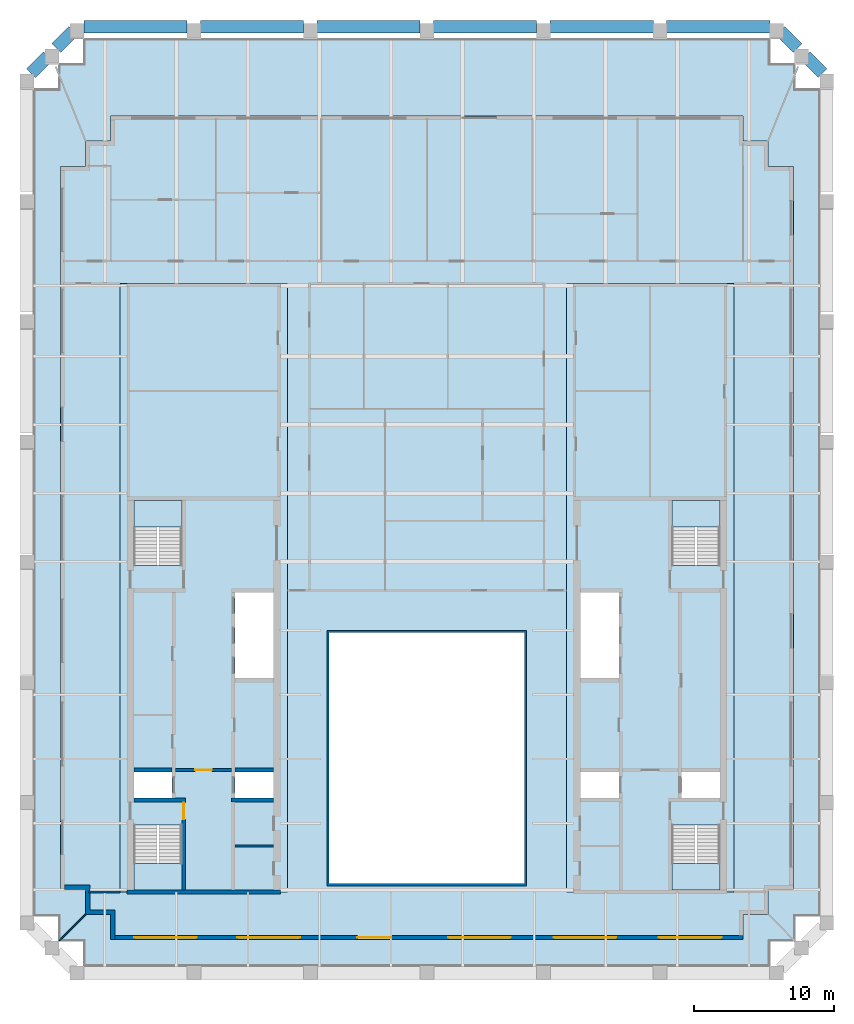
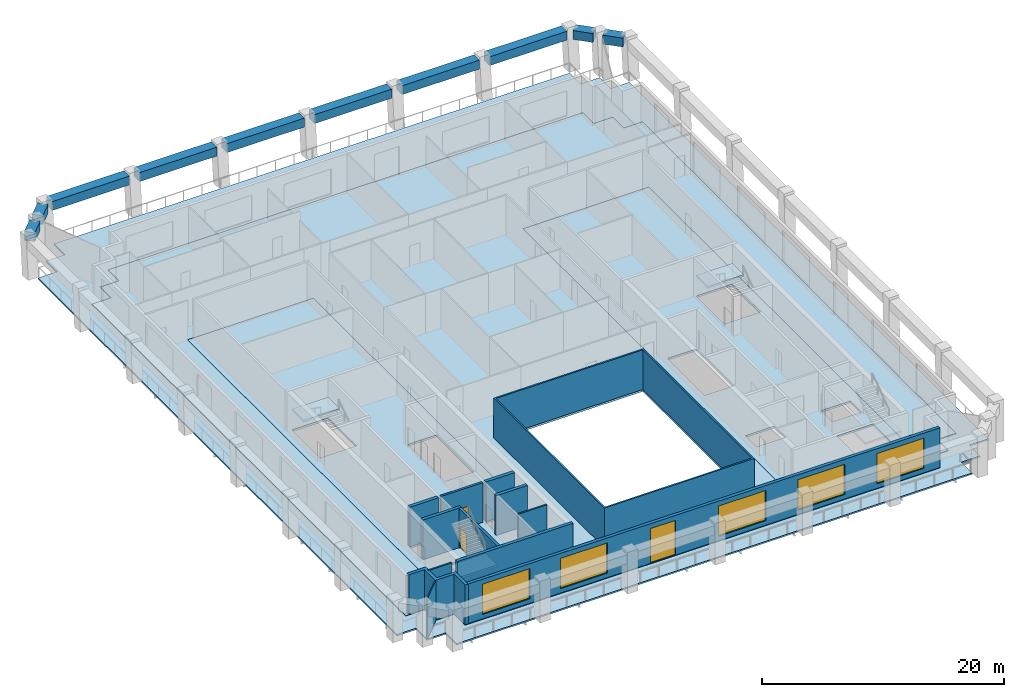
# One storey, part 2 of 8: 13 walls, 10 beams, 8 slabs, 5 windows, 3 doors, 8 openings, 4 elements without a shape of their own.
"""IFC4 building model written with IfcOpenShell, lengths in metres."""

from ifc_helpers import new_model, si_unit, direction, frame, frame_2d, origin, origin_2d, place, context, subcontext, project, spatial, polyline, rectangle, outline, extrude, material, layer, layer_set, material_profile, profile_set, type_object, element, fill, aggregate, save


model = new_model("IFC4")

# Units and contexts
model_context = context("Model", 3, precision=1e-05, world=origin(), true_north=direction((0.0, 1.0)))
body_context = subcontext(model_context, "Body", "Model", "MODEL_VIEW")
ifc_project = project(units=[si_unit("LENGTHUNIT", "METRE"), si_unit("AREAUNIT", "SQUARE_METRE"), si_unit("VOLUMEUNIT", "CUBIC_METRE"), si_unit("PLANEANGLEUNIT", "RADIAN"), si_unit("MASSUNIT", "GRAM", prefix="KILO")], contexts=[model_context])

# Site, building, storey
site_placement = place(None, origin())
site = spatial("IfcSite", under=ifc_project, at=site_placement, CompositionType="ELEMENT")
building_placement = place(site_placement, origin())
building = spatial("IfcBuilding", under=site, at=building_placement, Name="Ogive Exchange Tower", CompositionType="ELEMENT")
storey_placement = place(building_placement, frame((0.0, 0.0, 342.60009765625)))
storey = spatial("IfcBuildingStorey", under=building, at=storey_placement, Name="L75", CompositionType="ELEMENT", Elevation=342.60009765625)

# Beams
ifc_material_1 = material(Name="Precast concrete C70/85 (limestone faced)", Category="masonry")
ifc_material_profile = material_profile(ifc_material_1, rectangle(XDim=0.89990234375, YDim=0.89990234375, at=origin_2d()), Name="900 x 900")
ifc_profile_set = profile_set([ifc_material_profile], Name="Precast concrete C70/85 (limestone faced)")
beam_type = type_object("IfcBeamType", Name="Precast spandrel 900 x 900 C70/85", PredefinedType="SPANDREL", material=ifc_profile_set)
for number, where, z_axis, x_axis, name in (
    (1, (28.362060546875, 56.069580078125, 3.5), (-0.707036271462, 0.707177283881, 0.0), (-0.707177283881, -0.707036271462, 0.0), "Spandrel 16"),
    (2, (26.56201171875, 57.86962890625, 3.5), (-0.707036271462, 0.707177283881, 0.0), (-0.707177283881, -0.707036271462, 0.0), "Spandrel 17"),
):
    element("IfcBeam", number, at=place(storey_placement, frame(where, z_axis=z_axis, x_axis=x_axis)), inside=storey, type_object=beam_type, Name=name, PredefinedType="SPANDREL", context=body_context, shape_type="SweptSolid", body=[
        extrude(rectangle(XDim=0.89990234375, YDim=0.89990234375, at=origin_2d()), origin(), (0.0, 0.0, 1.0), 1.7314453125),
    ])
beam_1_placement = place(storey_placement, frame((24.570068359375, 59.3818359375, 3.5), z_axis=(-1.0, 0.0, 0.0), x_axis=(0.0, -1.0, 0.0)))
element("IfcBeam", 3, at=beam_1_placement, inside=storey, type_object=beam_type, Name="Spandrel 18", PredefinedType="SPANDREL", context=body_context, shape_type="SweptSolid", body=[
    extrude(rectangle(XDim=0.89990234375, YDim=0.89990234375, at=origin_2d()), origin(), (0.0, 0.0, 1.0), 7.39013671875),
])
beam_2_placement = place(storey_placement, frame((16.219970703125, 59.3818359375, 3.5), z_axis=(-1.0, 0.0, 0.0), x_axis=(0.0, -1.0, 0.0)))
element("IfcBeam", 4, at=beam_2_placement, inside=storey, type_object=beam_type, Name="Spandrel 19", PredefinedType="SPANDREL", context=body_context, shape_type="SweptSolid", body=[
    extrude(rectangle(XDim=0.89990234375, YDim=0.89990234375, at=origin_2d()), origin(), (0.0, 0.0, 1.0), 7.389892578125),
])
for number, where, z_axis, x_axis, name in (
    (5, (7.8701171875, 59.3818359375, 3.5), (-1.0, 0.0, 0.0), (0.0, -1.0, 0.0), "Spandrel 20"),
    (6, (-0.47998046875, 59.3818359375, 3.5), (-1.0, 0.0, 0.0), (0.0, -1.0, 0.0), "Spandrel 21"),
):
    element("IfcBeam", number, at=place(storey_placement, frame(where, z_axis=z_axis, x_axis=x_axis)), inside=storey, type_object=beam_type, Name=name, PredefinedType="SPANDREL", context=body_context, shape_type="SweptSolid", body=[
        extrude(rectangle(XDim=0.89990234375, YDim=0.89990234375, at=origin_2d()), origin(), (0.0, 0.0, 1.0), 7.39013671875),
    ])
beam_3_placement = place(storey_placement, frame((-8.830078125, 59.3818359375, 3.5), z_axis=(-1.0, 0.0, 0.0), x_axis=(0.0, -1.0, 0.0)))
element("IfcBeam", 7, at=beam_3_placement, inside=storey, type_object=beam_type, Name="Spandrel 22", PredefinedType="SPANDREL", context=body_context, shape_type="SweptSolid", body=[
    extrude(rectangle(XDim=0.89990234375, YDim=0.89990234375, at=origin_2d()), origin(), (0.0, 0.0, 1.0), 7.389892578125),
])
beam_4_placement = place(storey_placement, frame((-17.179931640625, 59.3818359375, 3.5), z_axis=(-1.0, 0.0, 0.0), x_axis=(0.0, -1.0, 0.0)))
element("IfcBeam", 8, at=beam_4_placement, inside=storey, type_object=beam_type, Name="Spandrel 23", PredefinedType="SPANDREL", context=body_context, shape_type="SweptSolid", body=[
    extrude(rectangle(XDim=0.89990234375, YDim=0.89990234375, at=origin_2d()), origin(), (0.0, 0.0, 1.0), 7.39013671875),
])
for number, where, z_axis, x_axis, name in (
    (9, (-25.337890625, 59.093994140625, 3.5), (-0.707036271462, -0.707177283881, 0.0), (0.707177283881, -0.707036271462, 0.0), "Spandrel 24"),
    (10, (-27.137939453125, 57.2939453125, 3.5), (-0.707036271462, -0.707177283881, 0.0), (0.707177283881, -0.707036271462, 0.0), "Spandrel 25"),
):
    element("IfcBeam", number, at=place(storey_placement, frame(where, z_axis=z_axis, x_axis=x_axis)), inside=storey, type_object=beam_type, Name=name, PredefinedType="SPANDREL", context=body_context, shape_type="SweptSolid", body=[
        extrude(rectangle(XDim=0.89990234375, YDim=0.89990234375, at=origin_2d()), origin(), (0.0, 0.0, 1.0), 1.7314453125),
    ])

# Slabs
ifc_material_2 = material(Name="Concrete C50/60", Category="concrete")
ifc_layer_1 = layer(ifc_material_2, 0.199951171875)
ifc_layer_set_1 = layer_set([ifc_layer_1], Name="Composite floor slab 200")
slab_type_1 = type_object("IfcSlabType", Name="Composite floor slab 200", PredefinedType="FLOOR", material=ifc_layer_set_1)
slab_1_placement = place(storey_placement, frame((0.0, 0.0, -0.2001953125)))
element("IfcSlab", 11, at=slab_1_placement, inside=storey, type_object=slab_type_1, Name="Composite floor slab", PredefinedType="FLOOR", context=body_context, shape_type="SweptSolid", body=[
    extrude(outline(polyline([(-22.64990234375, -4.199951171875), (-24.449951171875, -4.199951171875), (-24.449951171875, -2.39990234375), (-26.25, -2.39990234375), (-26.25, 49.39990234375), (-24.449951171875, 49.39990234375), (-24.449951171875, 51.199951171875), (-22.64990234375, 51.199951171875), (-22.64990234375, 53.0), (22.64990234375, 53.0), (22.64990234375, 51.199951171875), (24.449951171875, 51.199951171875), (24.449951171875, 49.39990234375), (26.25, 49.39990234375), (26.25, -2.39990234375), (24.449951171875, -2.39990234375), (24.449951171875, -4.199951171875), (22.64990234375, -4.199951171875), (22.64990234375, -6.0), (-22.64990234375, -6.0), (-22.64990234375, -4.199951171875)]), holes=[polyline([(7.0, -2.0), (7.0, 16.0), (-7.0, 16.0), (-7.0, -2.0), (7.0, -2.0)]), polyline([(-22.0, -2.60009765625), (-10.0, -2.60009765625), (-10.0, 41.0), (-22.0, 41.0), (-22.0, -2.60009765625)]), polyline([(10.0, -2.60009765625), (22.0, -2.60009765625), (22.0, 41.0), (10.0, 41.0), (10.0, -2.60009765625)])]), origin(), (0.0, 0.0, 1.0), 0.2001953125),
])
ifc_material_3 = material(Name="Concrete C70/85", Category="concrete")
ifc_layer_2 = layer(ifc_material_3, 0.199951171875)
ifc_layer_set_2 = layer_set([ifc_layer_2], Name="Core floor slab 200")
slab_type_2 = type_object("IfcSlabType", Name="Core floor slab 200", PredefinedType="FLOOR", material=ifc_layer_set_2)
slab_2_placement = place(storey_placement, frame((0.0, 0.0, -0.2001953125)))
element("IfcSlab", 12, at=slab_2_placement, inside=storey, type_object=slab_type_2, Name="Core floor slab", PredefinedType="FLOOR", context=body_context, shape_type="SweptSolid", body=[
    extrude(outline(polyline([(-22.0, -2.60009765625), (-22.0, 41.0), (-10.0, 41.0), (-10.0, -2.60009765625), (-22.0, -2.60009765625)]), holes=[polyline([(-17.550048828125, 2.196044921875), (-21.0, 2.196044921875), (-21.0, -2.449951171875), (-17.550048828125, -2.449951171875), (-17.550048828125, 2.196044921875)]), polyline([(-21.0, 5.992919921875), (-21.0, 4.14990234375), (-18.25, 4.14990234375), (-18.25, 5.992919921875), (-21.0, 5.992919921875)]), polyline([(-13.75, 5.992919921875), (-13.75, 4.14990234375), (-11.0, 4.14990234375), (-11.0, 5.992919921875), (-13.75, 5.992919921875)]), polyline([(-11.0, 18.85009765625), (-13.75, 18.85009765625), (-13.75, 12.721435546875), (-11.0, 12.721435546875), (-11.0, 18.85009765625)]), polyline([(-21.0, 25.449951171875), (-21.0, 20.803955078125), (-17.550048828125, 20.803955078125), (-17.550048828125, 25.449951171875), (-21.0, 25.449951171875)])]), origin(), (0.0, 0.0, 1.0), 0.2001953125),
])
slab_3_placement = place(storey_placement, frame((0.0, 0.0, -0.2001953125)))
element("IfcSlab", 13, at=slab_3_placement, inside=storey, type_object=slab_type_2, Name="Core floor slab", PredefinedType="FLOOR", context=body_context, shape_type="SweptSolid", body=[
    extrude(outline(polyline([(10.0, -2.60009765625), (10.0, 41.0), (22.0, 41.0), (22.0, -2.60009765625), (10.0, -2.60009765625)]), holes=[polyline([(21.0, 2.196044921875), (17.550048828125, 2.196044921875), (17.550048828125, -2.449951171875), (21.0, -2.449951171875), (21.0, 2.196044921875)]), polyline([(11.0, 5.992919921875), (11.0, 4.14990234375), (13.75, 4.14990234375), (13.75, 5.992919921875), (11.0, 5.992919921875)]), polyline([(18.25, 5.992919921875), (18.25, 4.14990234375), (21.0, 4.14990234375), (21.0, 5.992919921875), (18.25, 5.992919921875)]), polyline([(13.75, 18.85009765625), (11.0, 18.85009765625), (11.0, 12.721435546875), (13.75, 12.721435546875), (13.75, 18.85009765625)]), polyline([(17.550048828125, 25.449951171875), (17.550048828125, 20.803955078125), (21.0, 20.803955078125), (21.0, 25.449951171875), (17.550048828125, 25.449951171875)])]), origin(), (0.0, 0.0, 1.0), 0.2001953125),
])
ifc_layer_3 = layer(ifc_material_2, 0.14990234375)
ifc_layer_set_3 = layer_set([ifc_layer_3], Name="Loggia deck 150")
slab_type_3 = type_object("IfcSlabType", Name="Loggia deck 150", PredefinedType="FLOOR", material=ifc_layer_set_3)
slab_4_placement = place(storey_placement, frame((0.0, 0.0, -0.2001953125)))
element("IfcSlab", 14, at=slab_4_placement, inside=storey, type_object=slab_type_3, Name="Loggia deck", PredefinedType="FLOOR", context=body_context, shape_type="SweptSolid", body=[
    extrude(outline(polyline([(-24.60009765625, -6.14990234375), (-26.39990234375, -6.14990234375), (-26.39990234375, -4.35009765625), (-28.199951171875, -4.35009765625), (-28.199951171875, 54.949951171875), (-26.39990234375, 54.949951171875), (-26.39990234375, 56.75), (-24.60009765625, 56.75), (-24.60009765625, 58.550048828125), (24.60009765625, 58.550048828125), (24.60009765625, 56.75), (26.39990234375, 56.75), (26.39990234375, 54.949951171875), (28.199951171875, 54.949951171875), (28.199951171875, -4.35009765625), (26.39990234375, -4.35009765625), (26.39990234375, -6.14990234375), (24.60009765625, -6.14990234375), (24.60009765625, -7.949951171875), (-24.60009765625, -7.949951171875), (-24.60009765625, -6.14990234375)]), holes=[polyline([(22.64990234375, -4.199951171875), (24.449951171875, -4.199951171875), (24.449951171875, -2.39990234375), (26.25, -2.39990234375), (26.25, 49.39990234375), (24.449951171875, 49.39990234375), (24.449951171875, 51.199951171875), (22.64990234375, 51.199951171875), (22.64990234375, 53.0), (-22.64990234375, 53.0), (-22.64990234375, 51.199951171875), (-24.449951171875, 51.199951171875), (-24.449951171875, 49.39990234375), (-26.25, 49.39990234375), (-26.25, -2.39990234375), (-24.449951171875, -2.39990234375), (-24.449951171875, -4.199951171875), (-22.64990234375, -4.199951171875), (-22.64990234375, -6.0), (22.64990234375, -6.0), (22.64990234375, -4.199951171875)])]), origin(), (0.0, 0.0, 1.0), 0.150146484375),
])

# Stair, slab
ifc_material_4 = material(Name="Concrete C40/50", Category="concrete")
stair_type = type_object("IfcStairType", Name="Exit stair 1650 wide", PredefinedType="HALF_TURN_STAIR", material=ifc_material_4)
stair_1_placement = place(storey_placement, origin())
stair_1 = element("IfcStair", 15, at=stair_1_placement, inside=storey, type_object=stair_type, Name="L75 exit stair ST1", PredefinedType="HALF_TURN_STAIR")
ifc_layer_4 = layer(ifc_material_4, 0.199951171875)
ifc_layer_set_4 = layer_set([ifc_layer_4], Name="Stair landing 200 slab")
slab_type_4 = type_object("IfcSlabType", Name="Stair landing 200 slab", PredefinedType="LANDING", material=ifc_layer_set_4)
slab_5_placement = place(storey_placement, frame((0.0, 0.0, 1.89990234375)))
slab_5 = element("IfcSlab", 16, at=slab_5_placement, type_object=slab_type_4, Name="ST1 landing 1", PredefinedType="LANDING", context=body_context, shape_type="SweptSolid", body=[
    extrude(outline(polyline([(-21.0, -0.550048828125), (-21.0, -2.449951171875), (-17.550048828125, -2.449951171875), (-17.550048828125, -0.550048828125), (-21.0, -0.550048828125)])), origin(), (0.0, 0.0, 1.0), 0.199951171875),
])
aggregate(stair_1, [slab_5])

stair_2_placement = place(storey_placement, origin())
stair_2 = element("IfcStair", 17, at=stair_2_placement, inside=storey, type_object=stair_type, Name="L75 exit stair ST2", PredefinedType="HALF_TURN_STAIR")
slab_6_placement = place(storey_placement, frame((0.0, 0.0, 1.89990234375)))
slab_6 = element("IfcSlab", 18, at=slab_6_placement, type_object=slab_type_4, Name="ST2 landing 1", PredefinedType="LANDING", context=body_context, shape_type="SweptSolid", body=[
    extrude(outline(polyline([(-17.550048828125, 23.550048828125), (-17.550048828125, 25.449951171875), (-21.0, 25.449951171875), (-21.0, 23.550048828125), (-17.550048828125, 23.550048828125)])), origin(), (0.0, 0.0, 1.0), 0.199951171875),
])
aggregate(stair_2, [slab_6])

stair_3_placement = place(storey_placement, origin())
stair_3 = element("IfcStair", 19, at=stair_3_placement, inside=storey, type_object=stair_type, Name="L75 exit stair ST3", PredefinedType="HALF_TURN_STAIR")
slab_7_placement = place(storey_placement, frame((0.0, 0.0, 1.89990234375)))
slab_7 = element("IfcSlab", 20, at=slab_7_placement, type_object=slab_type_4, Name="ST3 landing 1", PredefinedType="LANDING", context=body_context, shape_type="SweptSolid", body=[
    extrude(outline(polyline([(17.550048828125, -0.550048828125), (17.550048828125, -2.449951171875), (21.0, -2.449951171875), (21.0, -0.550048828125), (17.550048828125, -0.550048828125)])), origin(), (0.0, 0.0, 1.0), 0.199951171875),
])
aggregate(stair_3, [slab_7])

stair_4_placement = place(storey_placement, origin())
stair_4 = element("IfcStair", 21, at=stair_4_placement, inside=storey, type_object=stair_type, Name="L75 exit stair ST4", PredefinedType="HALF_TURN_STAIR")
slab_8_placement = place(storey_placement, frame((0.0, 0.0, 1.89990234375)))
slab_8 = element("IfcSlab", 22, at=slab_8_placement, type_object=slab_type_4, Name="ST4 landing 1", PredefinedType="LANDING", context=body_context, shape_type="SweptSolid", body=[
    extrude(outline(polyline([(21.0, 23.550048828125), (21.0, 25.449951171875), (17.550048828125, 25.449951171875), (17.550048828125, 23.550048828125), (21.0, 23.550048828125)])), origin(), (0.0, 0.0, 1.0), 0.199951171875),
])
aggregate(stair_4, [slab_8])

# Walls
ifc_material_5 = material(Name="Gypsum board partition")
ifc_layer_5 = layer(ifc_material_5, 0.14990234375)
ifc_layer_set_5 = layer_set([ifc_layer_5], Name="Core room partition 150 gypsum")
wall_type_1 = type_object("IfcWallType", Name="Core room partition 150 gypsum", PredefinedType="PARTITIONING", material=ifc_layer_set_5)
wall_1_placement = place(storey_placement, frame((-13.75, 0.699951171875, 0.0), z_axis=(0.0, 0.0, 1.0), x_axis=(1.0, 0.0, 0.0)))
element("IfcWall", 23, at=wall_1_placement, inside=storey, type_object=wall_type_1, Name="W south room partition", PredefinedType="PARTITIONING", context=body_context, shape_type="SweptSolid", body=[
    extrude(rectangle(XDim=2.75, YDim=0.14990234375, at=frame_2d((1.375, 0.0))), origin(), (0.0, 0.0, 1.0), 4.0),
])
ifc_material_6 = material(Name="Fire partition EI 60 150")
ifc_layer_6 = layer(ifc_material_6, 0.14990234375)
ifc_layer_set_6 = layer_set([ifc_layer_6], Name="Fire partition EI 60 150")
wall_type_2 = type_object("IfcWallType", Name="Fire partition EI 60 150", PredefinedType="PARTITIONING", material=ifc_layer_set_6)
wall_2_placement = place(storey_placement, frame((-24.25, -2.60009765625, 0.0), z_axis=(0.0, 0.0, 1.0), x_axis=(1.0, 0.0, 0.0)))
element("IfcWall", 24, at=wall_2_placement, inside=storey, type_object=wall_type_2, Name="L75-PWL-002", PredefinedType="PARTITIONING", context=body_context, shape_type="SweptSolid", body=[
    extrude(rectangle(XDim=2.25, YDim=0.14990234375, at=frame_2d((1.125, 0.0))), origin(), (0.0, 0.0, 1.0), 4.0),
])
ifc_material_7 = material(Name="Fire-resisting glass in steel frame", Category="steel")
ifc_layer_7 = layer(ifc_material_7, 0.14990234375)
ifc_layer_set_7 = layer_set([ifc_layer_7], Name="Fire-rated glazed wall 150")
wall_type_3 = type_object("IfcWallType", Name="Fire-rated glazed wall 150", PredefinedType="STANDARD", material=ifc_layer_set_7)
wall_3_placement = place(storey_placement, origin())
element("IfcWall", 25, at=wall_3_placement, inside=storey, type_object=wall_type_3, Name="Nave enclosure wall", PredefinedType="STANDARD", context=body_context, shape_type="SweptSolid", body=[
    extrude(outline(polyline([(-7.14990234375, -2.14990234375), (7.14990234375, -2.14990234375), (7.14990234375, 16.14990234375), (-7.14990234375, 16.14990234375), (-7.14990234375, -2.14990234375)]), holes=[polyline([(-7.0, -2.0), (-7.0, 16.0), (7.0, 16.0), (7.0, -2.0), (-7.0, -2.0)])]), origin(), (0.0, 0.0, 1.0), 4.0),
])

# Wall, openings, door, windows
ifc_material_8 = material(Name="Precast concrete C40/50", Category="concrete")
ifc_layer_8 = layer(ifc_material_8, 0.300048828125)
ifc_layer_set_8 = layer_set([ifc_layer_8], Name="Limestone-faced wall 300")
wall_type_4 = type_object("IfcWallType", Name="Limestone-faced wall 300", PredefinedType="STANDARD", material=ifc_layer_set_8)
wall_4_placement = place(storey_placement, frame((-22.35009765625, -5.85009765625, 0.0), z_axis=(0.0, 0.0, 1.0), x_axis=(1.0, 0.0, 0.0)))
wall_4 = element("IfcWall", 26, at=wall_4_placement, inside=storey, type_object=wall_type_4, Name="External wall S1", PredefinedType="STANDARD", context=body_context, shape_type="SweptSolid", body=[
    extrude(rectangle(XDim=45.0, YDim=0.300048828125, at=frame_2d((22.5, 0.0))), origin(), (0.0, 0.0, 1.0), 4.0),
])
opening_1_placement = place(wall_4_placement, frame((1.375, 0.0, 0.449951171875)))
opening_1 = element("IfcOpeningElement", 27, at=opening_1_placement, cuts=wall_4, Name="Opening W1", PredefinedType="OPENING", context=body_context, shape_type="SweptSolid", body=[
    extrude(rectangle(XDim=4.5, YDim=3.050048828125, at=frame_2d((2.25, 1.52490234375))), frame((0.0, 0.159912109375, 0.0), z_axis=(0.0, -1.0, 0.0), x_axis=(1.0, 0.0, 0.0)), (0.0, 0.0, 1.0), 0.320068359375),
])
opening_2_placement = place(wall_4_placement, frame((8.77490234375, 0.0, 0.449951171875)))
opening_2 = element("IfcOpeningElement", 28, at=opening_2_placement, cuts=wall_4, Name="Opening W1", PredefinedType="OPENING", context=body_context, shape_type="SweptSolid", body=[
    extrude(rectangle(XDim=4.5, YDim=3.050048828125, at=frame_2d((2.25, 1.52490234375))), frame((0.0, 0.159912109375, 0.0), z_axis=(0.0, -1.0, 0.0), x_axis=(1.0, 0.0, 0.0)), (0.0, 0.0, 1.0), 0.320068359375),
])
opening_3_placement = place(wall_4_placement, frame((17.375, 0.0, 0.0)))
opening_3 = element("IfcOpeningElement", 29, at=opening_3_placement, cuts=wall_4, Name="Opening D1", PredefinedType="OPENING", context=body_context, shape_type="SweptSolid", body=[
    extrude(rectangle(XDim=2.39990234375, YDim=3.5, at=frame_2d((1.199951171875, 1.75))), frame((0.0, 0.159912109375, 0.0), z_axis=(0.0, -1.0, 0.0), x_axis=(1.0, 0.0, 0.0)), (0.0, 0.0, 1.0), 0.320068359375),
])
opening_4_placement = place(wall_4_placement, frame((23.875, 0.0, 0.449951171875)))
opening_4 = element("IfcOpeningElement", 30, at=opening_4_placement, cuts=wall_4, Name="Opening W1", PredefinedType="OPENING", context=body_context, shape_type="SweptSolid", body=[
    extrude(rectangle(XDim=4.5, YDim=3.050048828125, at=frame_2d((2.25, 1.52490234375))), frame((0.0, 0.159912109375, 0.0), z_axis=(0.0, -1.0, 0.0), x_axis=(1.0, 0.0, 0.0)), (0.0, 0.0, 1.0), 0.320068359375),
])
opening_5_placement = place(wall_4_placement, frame((31.425048828125, 0.0, 0.449951171875)))
opening_5 = element("IfcOpeningElement", 31, at=opening_5_placement, cuts=wall_4, Name="Opening W1", PredefinedType="OPENING", context=body_context, shape_type="SweptSolid", body=[
    extrude(rectangle(XDim=4.5, YDim=3.050048828125, at=frame_2d((2.25, 1.52490234375))), frame((0.0, 0.159912109375, 0.0), z_axis=(0.0, -1.0, 0.0), x_axis=(1.0, 0.0, 0.0)), (0.0, 0.0, 1.0), 0.320068359375),
])
opening_6_placement = place(wall_4_placement, frame((38.97509765625, 0.0, 0.449951171875)))
opening_6 = element("IfcOpeningElement", 32, at=opening_6_placement, cuts=wall_4, Name="Opening W1", PredefinedType="OPENING", context=body_context, shape_type="SweptSolid", body=[
    extrude(rectangle(XDim=4.5, YDim=3.050048828125, at=frame_2d((2.25, 1.52490234375))), frame((0.0, 0.159912109375, 0.0), z_axis=(0.0, -1.0, 0.0), x_axis=(1.0, 0.0, 0.0)), (0.0, 0.0, 1.0), 0.320068359375),
])
ifc_material_9 = material(Name="Clear glass in bronze frame", Category="glass")
door_type_1 = type_object("IfcDoorType", Name="Sliding loggia door 2400 x 3500", OperationType="DOUBLE_DOOR_SLIDING", PredefinedType="DOOR", material=ifc_material_9)
door_1_placement = place(opening_3_placement, origin())
door_1 = element("IfcDoor", 33, at=door_1_placement, inside=storey, type_object=door_type_1, Name="Loggia door S02", OperationType="DOUBLE_DOOR_SLIDING", OverallHeight=3.5, OverallWidth=2.39990234375, PredefinedType="DOOR", context=body_context, shape_type="SweptSolid", body=[
    extrude(rectangle(XDim=2.39990234375, YDim=3.5, at=frame_2d((1.199951171875, 1.75))), frame((0.0, 0.02490234375, 0.0), z_axis=(0.0, -1.0, 0.0), x_axis=(1.0, 0.0, 0.0)), (0.0, 0.0, 1.0), 0.050048828125),
])
fill(opening_3, door_1)
window_type = type_object("IfcWindowType", Name="Twin lancet window 4500 x 3050", PartitioningType="DOUBLE_PANEL_VERTICAL", PredefinedType="WINDOW", material=ifc_material_9)
window_1_placement = place(opening_1_placement, origin())
window_1 = element("IfcWindow", 34, at=window_1_placement, inside=storey, type_object=window_type, Name="Window S00", OverallHeight=3.050048828125, OverallWidth=4.5, PartitioningType="DOUBLE_PANEL_VERTICAL", PredefinedType="WINDOW", context=body_context, shape_type="SweptSolid", body=[
    extrude(rectangle(XDim=4.5, YDim=3.050048828125, at=frame_2d((2.25, 1.52490234375))), frame((0.0, 0.030029296875, 0.0), z_axis=(0.0, -1.0, 0.0), x_axis=(1.0, 0.0, 0.0)), (0.0, 0.0, 1.0), 0.06005859375),
])
fill(opening_1, window_1)
window_2_placement = place(opening_2_placement, origin())
window_2 = element("IfcWindow", 35, at=window_2_placement, inside=storey, type_object=window_type, Name="Window S01", OverallHeight=3.050048828125, OverallWidth=4.5, PartitioningType="DOUBLE_PANEL_VERTICAL", PredefinedType="WINDOW", context=body_context, shape_type="SweptSolid", body=[
    extrude(rectangle(XDim=4.5, YDim=3.050048828125, at=frame_2d((2.25, 1.52490234375))), frame((0.0, 0.030029296875, 0.0), z_axis=(0.0, -1.0, 0.0), x_axis=(1.0, 0.0, 0.0)), (0.0, 0.0, 1.0), 0.06005859375),
])
fill(opening_2, window_2)
window_3_placement = place(opening_4_placement, origin())
window_3 = element("IfcWindow", 36, at=window_3_placement, inside=storey, type_object=window_type, Name="Window S03", OverallHeight=3.050048828125, OverallWidth=4.5, PartitioningType="DOUBLE_PANEL_VERTICAL", PredefinedType="WINDOW", context=body_context, shape_type="SweptSolid", body=[
    extrude(rectangle(XDim=4.5, YDim=3.050048828125, at=frame_2d((2.25, 1.52490234375))), frame((0.0, 0.030029296875, 0.0), z_axis=(0.0, -1.0, 0.0), x_axis=(1.0, 0.0, 0.0)), (0.0, 0.0, 1.0), 0.06005859375),
])
fill(opening_4, window_3)
window_4_placement = place(opening_5_placement, origin())
window_4 = element("IfcWindow", 37, at=window_4_placement, inside=storey, type_object=window_type, Name="Window S04", OverallHeight=3.050048828125, OverallWidth=4.5, PartitioningType="DOUBLE_PANEL_VERTICAL", PredefinedType="WINDOW", context=body_context, shape_type="SweptSolid", body=[
    extrude(rectangle(XDim=4.5, YDim=3.050048828125, at=frame_2d((2.25, 1.52490234375))), frame((0.0, 0.030029296875, 0.0), z_axis=(0.0, -1.0, 0.0), x_axis=(1.0, 0.0, 0.0)), (0.0, 0.0, 1.0), 0.06005859375),
])
fill(opening_5, window_4)
window_5_placement = place(opening_6_placement, origin())
window_5 = element("IfcWindow", 38, at=window_5_placement, inside=storey, type_object=window_type, Name="Window S05", OverallHeight=3.050048828125, OverallWidth=4.5, PartitioningType="DOUBLE_PANEL_VERTICAL", PredefinedType="WINDOW", context=body_context, shape_type="SweptSolid", body=[
    extrude(rectangle(XDim=4.5, YDim=3.050048828125, at=frame_2d((2.25, 1.52490234375))), frame((0.0, 0.030029296875, 0.0), z_axis=(0.0, -1.0, 0.0), x_axis=(1.0, 0.0, 0.0)), (0.0, 0.0, 1.0), 0.06005859375),
])
fill(opening_6, window_5)

# Walls
wall_5_placement = place(storey_placement, origin())
element("IfcWall", 39, at=wall_5_placement, inside=storey, type_object=wall_type_4, Name="External corner wall C4", PredefinedType="STANDARD", context=body_context, shape_type="SweptSolid", body=[
    extrude(outline(polyline([(-22.64990234375, -4.199951171875), (-24.449951171875, -4.199951171875), (-24.449951171875, -2.39990234375), (-25.949951171875, -2.39990234375), (-25.949951171875, -2.10009765625), (-24.14990234375, -2.10009765625), (-24.14990234375, -3.89990234375), (-22.35009765625, -3.89990234375), (-22.35009765625, -6.0), (-22.64990234375, -6.0), (-22.64990234375, -4.199951171875)])), origin(), (0.0, 0.0, 1.0), 4.0),
])
ifc_material_10 = material(Name="Laminated safety glass in steel frame", Category="steel")
ifc_layer_9 = layer(ifc_material_10, 0.10009765625)
ifc_layer_set_9 = layer_set([ifc_layer_9], Name="Loggia end screen 100")
wall_type_5 = type_object("IfcWallType", Name="Loggia end screen 100", PredefinedType="STANDARD", material=ifc_layer_set_9)
wall_6_placement = place(storey_placement, frame((-24.449951171875, -4.199951171875, -0.050048828125), z_axis=(0.0, 0.0, 1.0), x_axis=(-0.707106781187, -0.707106781187, 0.0)))
element("IfcWall", 40, at=wall_6_placement, inside=storey, type_object=wall_type_5, Name="Loggia end screen C4", PredefinedType="STANDARD", context=body_context, shape_type="SweptSolid", body=[
    extrude(rectangle(XDim=2.667236328125, YDim=0.10009765625, at=frame_2d((1.33349609375, 0.0))), origin(), (0.0, 0.0, 1.0), 4.050048828125),
])

# Wall, opening, door
ifc_layer_10 = layer(ifc_material_3, 0.199951171875)
ifc_layer_set_10 = layer_set([ifc_layer_10], Name="RC core wall 200 C70/85")
wall_type_6 = type_object("IfcWallType", Name="RC core wall 200 C70/85", PredefinedType="SHEAR", material=ifc_layer_set_10)
wall_7_placement = place(storey_placement, frame((-18.0, 6.142822265625, 0.0), z_axis=(0.0, 0.0, 1.0), x_axis=(1.0, 0.0, 0.0)))
wall_7 = element("IfcWall", 41, at=wall_7_placement, inside=storey, type_object=wall_type_6, Name="W firefighting lobby wall", PredefinedType="SHEAR", context=body_context, shape_type="SweptSolid", body=[
    extrude(rectangle(XDim=4.0, YDim=0.199951171875, at=frame_2d((2.0, 0.0))), origin(), (0.0, 0.0, 1.0), 4.0),
])
opening_7_placement = place(wall_7_placement, frame((1.39990234375, 0.0, 0.0)))
opening_7 = element("IfcOpeningElement", 42, at=opening_7_placement, cuts=wall_7, Name="Opening L75-C09", PredefinedType="OPENING", context=body_context, shape_type="SweptSolid", body=[
    extrude(rectangle(XDim=1.199951171875, YDim=2.10009765625, at=frame_2d((0.60009765625, 1.050048828125))), frame((0.0, 0.10986328125, 0.0), z_axis=(0.0, -1.0, 0.0), x_axis=(1.0, 0.0, 0.0)), (0.0, 0.0, 1.0), 0.219970703125),
])
ifc_material_11 = material(Name="Steel fire door", Category="steel")
door_type_2 = type_object("IfcDoorType", Name="Firefighting lobby door FD60 1200 x 2100", OperationType="NOTDEFINED", PredefinedType="DOOR", material=ifc_material_11)
door_2_placement = place(opening_7_placement, frame((1.199951171875, 0.0, 0.0), z_axis=(0.0, 0.0, 1.0), x_axis=(-1.0, 0.0, 0.0)))
door_2 = element("IfcDoor", 43, at=door_2_placement, inside=storey, type_object=door_type_2, Name="Firefighting lobby door", ObjectType="CD3", OperationType="SINGLE_SWING_RIGHT", OverallHeight=2.10009765625, OverallWidth=1.199951171875, PredefinedType="DOOR", context=body_context, shape_type="SweptSolid", body=[
    extrude(rectangle(XDim=1.199951171875, YDim=2.10009765625, at=frame_2d((0.60009765625, 1.050048828125))), frame((0.0, 0.02490234375, 0.0), z_axis=(0.0, -1.0, 0.0), x_axis=(1.0, 0.0, 0.0)), (0.0, 0.0, 1.0), 0.050048828125),
])
fill(opening_7, door_2)

ifc_layer_11 = layer(ifc_material_3, 0.25)
ifc_layer_set_11 = layer_set([ifc_layer_11], Name="RC core wall 250 C70/85")
wall_type_7 = type_object("IfcWallType", Name="RC core wall 250 C70/85", PredefinedType="SHEAR", material=ifc_layer_set_11)
wall_8_placement = place(storey_placement, frame((-17.425048828125, -2.449951171875, 0.0), z_axis=(0.0, 0.0, 1.0), x_axis=(0.0, 1.0, 0.0)))
wall_8 = element("IfcWall", 44, at=wall_8_placement, inside=storey, type_object=wall_type_7, Name="W stair S front wall", PredefinedType="SHEAR", context=body_context, shape_type="SweptSolid", body=[
    extrude(rectangle(XDim=6.300048828125, YDim=0.25, at=frame_2d((3.14990234375, 0.0))), origin(), (0.0, 0.0, 1.0), 4.0),
])
opening_8_placement = place(wall_8_placement, frame((5.050048828125, 0.0, 0.0)))
opening_8 = element("IfcOpeningElement", 45, at=opening_8_placement, cuts=wall_8, Name="Opening L75-C11", PredefinedType="OPENING", context=body_context, shape_type="SweptSolid", body=[
    extrude(rectangle(XDim=1.199951171875, YDim=2.10009765625, at=frame_2d((0.60009765625, 1.050048828125))), frame((0.0, 0.135009765625, 0.0), z_axis=(0.0, -1.0, 0.0), x_axis=(1.0, 0.0, 0.0)), (0.0, 0.0, 1.0), 0.27001953125),
])
door_type_3 = type_object("IfcDoorType", Name="Stair door FD90 1200 x 2100", OperationType="NOTDEFINED", PredefinedType="DOOR", material=ifc_material_11)
door_3_placement = place(opening_8_placement, origin())
door_3 = element("IfcDoor", 46, at=door_3_placement, inside=storey, type_object=door_type_3, Name="Stair door", ObjectType="CD5", OperationType="SINGLE_SWING_LEFT", OverallHeight=2.10009765625, OverallWidth=1.199951171875, PredefinedType="DOOR", context=body_context, shape_type="SweptSolid", body=[
    extrude(rectangle(XDim=1.199951171875, YDim=2.10009765625, at=frame_2d((0.60009765625, 1.050048828125))), frame((0.0, 0.02490234375, 0.0), z_axis=(0.0, -1.0, 0.0), x_axis=(1.0, 0.0, 0.0)), (0.0, 0.0, 1.0), 0.050048828125),
])
fill(opening_8, door_3)

# Walls
ifc_layer_12 = layer(ifc_material_3, 0.300048828125)
ifc_layer_set_12 = layer_set([ifc_layer_12], Name="RC core wall 300 C70/85")
wall_type_8 = type_object("IfcWallType", Name="RC core wall 300 C70/85", PredefinedType="SHEAR", material=ifc_layer_set_12)
wall_9_placement = place(storey_placement, frame((-21.5, -2.60009765625, 0.0), z_axis=(0.0, 0.0, 1.0), x_axis=(1.0, 0.0, 0.0)))
element("IfcWall", 47, at=wall_9_placement, inside=storey, type_object=wall_type_8, Name="W south end wall", PredefinedType="SHEAR", context=body_context, shape_type="SweptSolid", body=[
    extrude(rectangle(XDim=11.0, YDim=0.300048828125, at=frame_2d((5.5, 0.0))), origin(), (0.0, 0.0, 1.0), 4.0),
])
wall_10_placement = place(storey_placement, frame((-21.0, 4.0, 0.0), z_axis=(0.0, 0.0, 1.0), x_axis=(1.0, 0.0, 0.0)))
element("IfcWall", 48, at=wall_10_placement, inside=storey, type_object=wall_type_8, Name="W stair S north wall", PredefinedType="SHEAR", context=body_context, shape_type="SweptSolid", body=[
    extrude(rectangle(XDim=3.699951171875, YDim=0.300048828125, at=frame_2d((1.85009765625, 0.0))), origin(), (0.0, 0.0, 1.0), 4.0),
])
wall_11_placement = place(storey_placement, frame((-21.0, 6.142822265625, 0.0), z_axis=(0.0, 0.0, 1.0), x_axis=(1.0, 0.0, 0.0)))
element("IfcWall", 49, at=wall_11_placement, inside=storey, type_object=wall_type_8, Name="W row A divider 1", PredefinedType="SHEAR", context=body_context, shape_type="SweptSolid", body=[
    extrude(rectangle(XDim=2.75, YDim=0.300048828125, at=frame_2d((1.375, 0.0))), origin(), (0.0, 0.0, 1.0), 4.0),
])
wall_12_placement = place(storey_placement, frame((-14.0, 4.0, 0.0), z_axis=(0.0, 0.0, 1.0), x_axis=(1.0, 0.0, 0.0)))
element("IfcWall", 50, at=wall_12_placement, inside=storey, type_object=wall_type_8, Name="W row B divider 0", PredefinedType="SHEAR", context=body_context, shape_type="SweptSolid", body=[
    extrude(rectangle(XDim=3.0, YDim=0.300048828125, at=frame_2d((1.5, 0.0))), origin(), (0.0, 0.0, 1.0), 4.0),
])
wall_13_placement = place(storey_placement, frame((-13.75, 6.142822265625, 0.0), z_axis=(0.0, 0.0, 1.0), x_axis=(1.0, 0.0, 0.0)))
element("IfcWall", 51, at=wall_13_placement, inside=storey, type_object=wall_type_8, Name="W row B divider 1", PredefinedType="SHEAR", context=body_context, shape_type="SweptSolid", body=[
    extrude(rectangle(XDim=2.75, YDim=0.300048828125, at=frame_2d((1.375, 0.0))), origin(), (0.0, 0.0, 1.0), 4.0),
])

save(model, "model.ifc")
